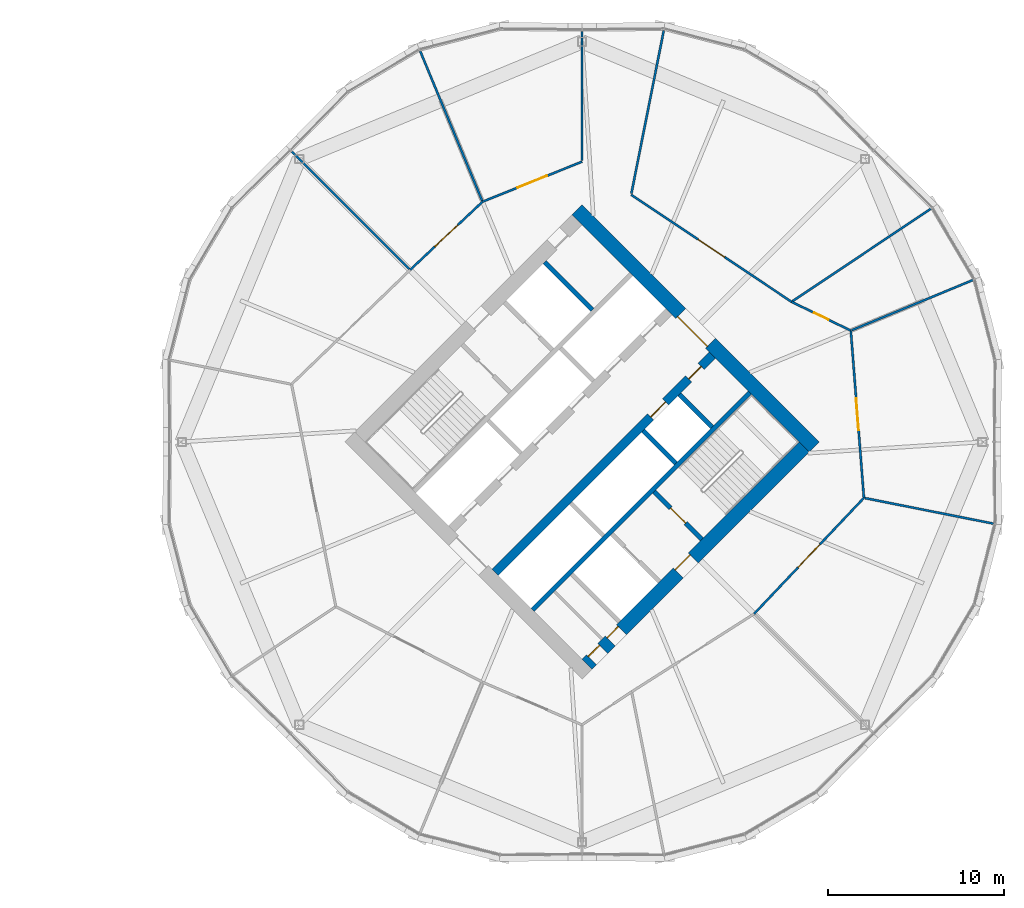
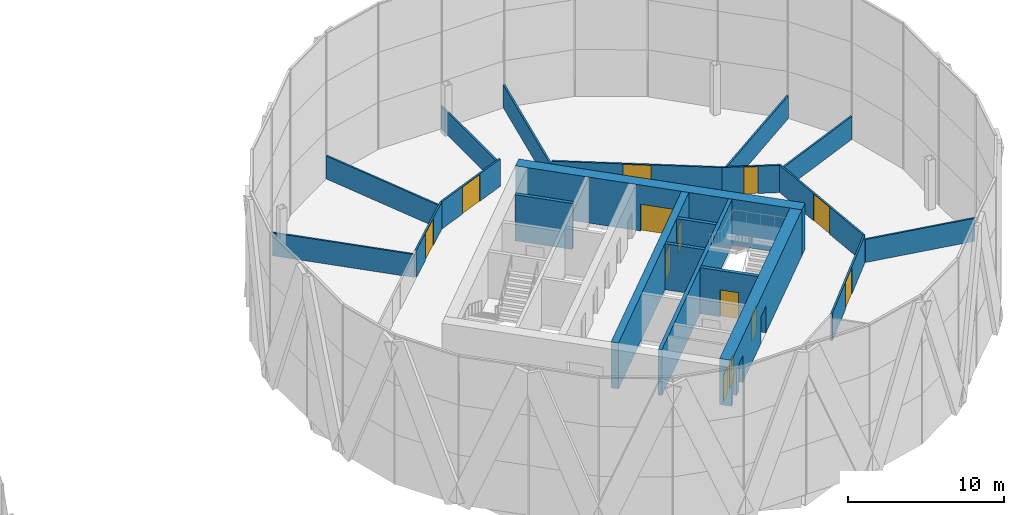
# One storey, part 23 of 26: 21 walls, 13 doors, 13 openings.
"""IFC4 building model written with IfcOpenShell, lengths in metres."""

from ifc_helpers import new_model, si_unit, direction, frame, frame_2d, origin, place, context, subcontext, project, spatial, rectangle, extrude, material, layer, layer_set, type_object, element, fill, save


model = new_model("IFC4")

# Units and contexts
model_context = context("Model", 3, precision=1e-05, world=origin(), true_north=direction((0.0, 1.0)))
body_context = subcontext(model_context, "Body", "Model", "MODEL_VIEW")
ifc_project = project(units=[si_unit("LENGTHUNIT", "METRE"), si_unit("AREAUNIT", "SQUARE_METRE"), si_unit("VOLUMEUNIT", "CUBIC_METRE"), si_unit("PLANEANGLEUNIT", "RADIAN"), si_unit("MASSUNIT", "GRAM", prefix="KILO")], contexts=[model_context])

# Site, building, storey
site_placement = place(None, origin())
site = spatial("IfcSite", under=ifc_project, at=site_placement, CompositionType="ELEMENT")
building_placement = place(site_placement, origin())
building = spatial("IfcBuilding", under=site, at=building_placement, Name="Ogive Gate Towers", CompositionType="ELEMENT")
storey_placement = place(building_placement, frame((0.0, 0.0, 87.89990234375)))
storey = spatial("IfcBuildingStorey", under=building, at=storey_placement, Name="L20", CompositionType="ELEMENT", Elevation=87.89990234375)

# Wall, openings, doors
ifc_material_1 = material(Name="Concrete C60/75", Category="concrete")
ifc_layer_1 = layer(ifc_material_1, 0.800048828125)
ifc_layer_set_1 = layer_set([ifc_layer_1], Name="Core wall 800 mm")
wall_type_1 = type_object("IfcWallType", Name="Core wall 800 mm", PredefinedType="SHEAR", material=ifc_layer_set_1)
wall_1_placement = place(storey_placement, frame((36.28271484375, -12.58642578125, 0.0), z_axis=(0.0, 0.0, 1.0), x_axis=(0.707106781187, 0.707106781187, 0.0)))
wall_1 = element("IfcWall", 1, at=wall_1_placement, inside=storey, type_object=wall_type_1, Name="T2 L20 Core wall 800 mm", PredefinedType="SHEAR", context=body_context, shape_type="SweptSolid", body=[
    extrude(rectangle(XDim=17.400146484375, YDim=0.800048828125, at=frame_2d((8.7001953125, 0.0))), origin(), (0.0, 0.0, 1.0), 3.60009765625),
])
opening_1_placement = place(wall_1_placement, frame((7.300048828125, 0.0, 0.0)))
opening_1 = element("IfcOpeningElement", 2, at=opening_1_placement, cuts=wall_1, Name="Opening KD-T2-L20-16", PredefinedType="OPENING", context=body_context, shape_type="SweptSolid", body=[
    extrude(rectangle(XDim=1.199951171875, YDim=2.10009765625, at=frame_2d((0.60009765625, 1.050048828125))), frame((0.0, 0.41015625, 0.0), z_axis=(0.0, -1.0, 0.0), x_axis=(1.0, 0.0, 0.0)), (0.0, 0.0, 1.0), 0.820068359375),
])
opening_2_placement = place(wall_1_placement, frame((0.35009765625, 0.0, 0.0)))
opening_2 = element("IfcOpeningElement", 3, at=opening_2_placement, cuts=wall_1, Name="Opening KD-T2-L20-18", PredefinedType="OPENING", context=body_context, shape_type="SweptSolid", body=[
    extrude(rectangle(XDim=0.89990234375, YDim=2.10009765625, at=frame_2d((0.449951171875, 1.050048828125))), frame((0.0, 0.41015625, 0.0), z_axis=(0.0, -1.0, 0.0), x_axis=(1.0, 0.0, 0.0)), (0.0, 0.0, 1.0), 0.820068359375),
])
opening_3_placement = place(wall_1_placement, frame((1.85009765625, 0.0, 0.0)))
opening_3 = element("IfcOpeningElement", 4, at=opening_3_placement, cuts=wall_1, Name="Opening KD-T2-L20-19", PredefinedType="OPENING", context=body_context, shape_type="SweptSolid", body=[
    extrude(rectangle(XDim=0.89990234375, YDim=2.10009765625, at=frame_2d((0.449951171875, 1.050048828125))), frame((0.0, 0.41015625, 0.0), z_axis=(0.0, -1.0, 0.0), x_axis=(1.0, 0.0, 0.0)), (0.0, 0.0, 1.0), 0.820068359375),
])
ifc_material_2 = material(Name="Timber door", Category="wood")
door_type_1 = type_object("IfcDoorType", Name="Core WC door 900 x 2100", OperationType="NOTDEFINED", PredefinedType="DOOR", material=ifc_material_2)
door_1_placement = place(opening_2_placement, origin())
door_1 = element("IfcDoor", 5, at=door_1_placement, inside=storey, type_object=door_type_1, Name="T2 L20 Core door", OperationType="SINGLE_SWING_LEFT", OverallHeight=2.10009765625, OverallWidth=0.89990234375, PredefinedType="DOOR", context=body_context, shape_type="SweptSolid", body=[
    extrude(rectangle(XDim=0.89990234375, YDim=2.10009765625, at=frame_2d((0.449951171875, 1.050048828125))), frame((0.0, 0.27490234375, 0.0), z_axis=(0.0, -1.0, 0.0), x_axis=(1.0, 0.0, 0.0)), (0.0, 0.0, 1.0), 0.050048828125),
])
fill(opening_2, door_1)
door_2_placement = place(opening_3_placement, origin())
door_2 = element("IfcDoor", 6, at=door_2_placement, inside=storey, type_object=door_type_1, Name="T2 L20 Core door", OperationType="SINGLE_SWING_RIGHT", OverallHeight=2.10009765625, OverallWidth=0.89990234375, PredefinedType="DOOR", context=body_context, shape_type="SweptSolid", body=[
    extrude(rectangle(XDim=0.89990234375, YDim=2.10009765625, at=frame_2d((0.449951171875, 1.050048828125))), frame((0.0, 0.27490234375, 0.0), z_axis=(0.0, -1.0, 0.0), x_axis=(1.0, 0.0, 0.0)), (0.0, 0.0, 1.0), 0.050048828125),
])
fill(opening_3, door_2)
ifc_material_3 = material(Name="Steel fire door", Category="steel")
door_type_2 = type_object("IfcDoorType", Name="Core door FD60S 1200 x 2100", OperationType="NOTDEFINED", PredefinedType="DOOR", material=ifc_material_3)
door_3_placement = place(opening_1_placement, origin())
door_3 = element("IfcDoor", 7, at=door_3_placement, inside=storey, type_object=door_type_2, Name="T2 L20 Fire-fighting lobby door", OperationType="SINGLE_SWING_LEFT", OverallHeight=2.10009765625, OverallWidth=1.199951171875, PredefinedType="DOOR", context=body_context, shape_type="SweptSolid", body=[
    extrude(rectangle(XDim=1.199951171875, YDim=2.10009765625, at=frame_2d((0.60009765625, 1.050048828125))), frame((0.0, 0.27490234375, 0.0), z_axis=(0.0, -1.0, 0.0), x_axis=(1.0, 0.0, 0.0)), (0.0, 0.0, 1.0), 0.050048828125),
])
fill(opening_1, door_3)

# Wall, opening, door
wall_2_placement = place(storey_placement, frame((49.152099609375, -0.28271484375, 0.0), z_axis=(0.0, 0.0, 1.0), x_axis=(-0.707106781187, 0.707106781187, 0.0)))
wall_2 = element("IfcWall", 8, at=wall_2_placement, inside=storey, type_object=wall_type_1, Name="T2 L20 Core wall 800 mm", PredefinedType="SHEAR", context=body_context, shape_type="SweptSolid", body=[
    extrude(rectangle(XDim=18.999755859375, YDim=0.800048828125, at=frame_2d((9.5, 0.0))), origin(), (0.0, 0.0, 1.0), 3.60009765625),
])
opening_4_placement = place(wall_2_placement, frame((8.300048828125, 0.0, 0.0)))
opening_4 = element("IfcOpeningElement", 9, at=opening_4_placement, cuts=wall_2, Name="Opening KD-T2-L20-02", PredefinedType="OPENING", context=body_context, shape_type="SweptSolid", body=[
    extrude(rectangle(XDim=2.39990234375, YDim=2.10009765625, at=frame_2d((1.199951171875, 1.050048828125))), frame((0.0, 0.41015625, 0.0), z_axis=(0.0, -1.0, 0.0), x_axis=(1.0, 0.0, 0.0)), (0.0, 0.0, 1.0), 0.820068359375),
])
door_type_3 = type_object("IfcDoorType", Name="Core double door FD60S 2400 x 2100", OperationType="DOUBLE_DOOR_SINGLE_SWING", PredefinedType="DOOR", material=ifc_material_3)
door_4_placement = place(opening_4_placement, origin())
door_4 = element("IfcDoor", 10, at=door_4_placement, inside=storey, type_object=door_type_3, Name="T2 L20 Core door double", OperationType="DOUBLE_DOOR_SINGLE_SWING", OverallHeight=2.10009765625, OverallWidth=2.39990234375, PredefinedType="DOOR", context=body_context, shape_type="SweptSolid", body=[
    extrude(rectangle(XDim=2.39990234375, YDim=2.10009765625, at=frame_2d((1.199951171875, 1.050048828125))), frame((0.0, 0.27490234375, 0.0), z_axis=(0.0, -1.0, 0.0), x_axis=(1.0, 0.0, 0.0)), (0.0, 0.0, 1.0), 0.050048828125),
])
fill(opening_4, door_4)

# Walls
ifc_material_4 = material(Name="Gypsum board partition")
ifc_layer_2 = layer(ifc_material_4, 0.125)
ifc_layer_set_2 = layer_set([ifc_layer_2], Name="Partition 125")
wall_type_2 = type_object("IfcWallType", Name="Partition 125", PredefinedType="PARTITIONING", material=ifc_layer_set_2)
wall_3_placement = place(storey_placement, frame((58.1455078125, 9.1728515625, 0.0), z_axis=(0.0, 0.0, 1.0), x_axis=(-0.923879380102, -0.382683800313, 0.0)))
element("IfcWall", 11, at=wall_3_placement, inside=storey, type_object=wall_type_2, Name="Partition T2-L20-001", PredefinedType="PARTITIONING", context=body_context, shape_type="SweptSolid", body=[
    extrude(rectangle(XDim=7.42529296875, YDim=0.125, at=frame_2d((3.712646484375, 0.0))), origin(), (0.0, 0.0, 1.0), 1.800048828125),
])
wall_4_placement = place(storey_placement, frame((55.759521484375, 13.2119140625, 0.0), z_axis=(0.0, 0.0, 1.0), x_axis=(-0.831300345147, -0.555823475717, 0.0)))
element("IfcWall", 12, at=wall_4_placement, inside=storey, type_object=wall_type_2, Name="Partition T2-L20-002", PredefinedType="PARTITIONING", context=body_context, shape_type="SweptSolid", body=[
    extrude(rectangle(XDim=9.42529296875, YDim=0.125, at=frame_2d((4.712646484375, 0.0))), origin(), (0.0, 0.0, 1.0), 1.800048828125),
])
wall_5_placement = place(storey_placement, frame((40.6298828125, 23.314208984375, 0.0), z_axis=(0.0, 0.0, 1.0), x_axis=(-0.194790915592, -0.980844788538, 0.0)))
element("IfcWall", 13, at=wall_5_placement, inside=storey, type_object=wall_type_2, Name="Partition T2-L20-003", PredefinedType="PARTITIONING", context=body_context, shape_type="SweptSolid", body=[
    extrude(rectangle(XDim=9.425048828125, YDim=0.125, at=frame_2d((4.71240234375, 0.0))), origin(), (0.0, 0.0, 1.0), 1.800048828125),
])
wall_6_placement = place(storey_placement, frame((36.0, 23.26904296875, 0.0), z_axis=(0.0, 0.0, 1.0), x_axis=(0.0, -1.0, 0.0)))
element("IfcWall", 14, at=wall_6_placement, inside=storey, type_object=wall_type_2, Name="Partition T2-L20-004", PredefinedType="PARTITIONING", context=body_context, shape_type="SweptSolid", body=[
    extrude(rectangle(XDim=7.32666015625, YDim=0.125, at=frame_2d((3.663330078125, 0.0))), origin(), (0.0, 0.0, 1.0), 1.800048828125),
])
wall_7_placement = place(storey_placement, frame((26.8271484375, 22.1455078125, 0.0), z_axis=(0.0, 0.0, 1.0), x_axis=(0.382685496895, -0.923878677352, 0.0)))
element("IfcWall", 15, at=wall_7_placement, inside=storey, type_object=wall_type_2, Name="Partition T2-L20-005", PredefinedType="PARTITIONING", context=body_context, shape_type="SweptSolid", body=[
    extrude(rectangle(XDim=9.17529296875, YDim=0.125, at=frame_2d((4.587646484375, 0.0))), origin(), (0.0, 0.0, 1.0), 1.800048828125),
])
wall_8_placement = place(storey_placement, frame((19.54638671875, 16.45361328125, 0.0), z_axis=(0.0, 0.0, 1.0), x_axis=(0.707106781187, -0.707106781187, 0.0)))
element("IfcWall", 16, at=wall_8_placement, inside=storey, type_object=wall_type_2, Name="Partition T2-L20-006", PredefinedType="PARTITIONING", context=body_context, shape_type="SweptSolid", body=[
    extrude(rectangle(XDim=9.425048828125, YDim=0.125, at=frame_2d((4.71240234375, 0.0))), origin(), (0.0, 0.0, 1.0), 1.800048828125),
])
wall_9_placement = place(storey_placement, frame((59.314208984375, -4.6298828125, 0.0), z_axis=(0.0, 0.0, 1.0), x_axis=(-0.980846602805, 0.19478177986, 0.0)))
element("IfcWall", 17, at=wall_9_placement, inside=storey, type_object=wall_type_2, Name="Partition T2-L20-013", PredefinedType="PARTITIONING", context=body_context, shape_type="SweptSolid", body=[
    extrude(rectangle(XDim=7.42529296875, YDim=0.125, at=frame_2d((3.712646484375, 0.0))), origin(), (0.0, 0.0, 1.0), 1.800048828125),
])

# Wall, opening, door
wall_10_placement = place(storey_placement, frame((36.0, 15.8798828125, 0.0), z_axis=(0.0, 0.0, 1.0), x_axis=(-0.927682193626, -0.373370791077, 0.0)))
wall_10 = element("IfcWall", 18, at=wall_10_placement, inside=storey, type_object=wall_type_2, Name="Partition T2-L20-014", PredefinedType="PARTITIONING", context=body_context, shape_type="SweptSolid", body=[
    extrude(rectangle(XDim=6.0771484375, YDim=0.125, at=frame_2d((3.03857421875, 0.0))), origin(), (0.0, 0.0, 1.0), 2.14013671875),
])
opening_5_placement = place(wall_10_placement, frame((2.138916015625, 0.0, 0.0)))
opening_5 = element("IfcOpeningElement", 19, at=opening_5_placement, cuts=wall_10, Name="Opening T2-L20-D01", PredefinedType="OPENING", context=body_context, shape_type="SweptSolid", body=[
    extrude(rectangle(XDim=1.800048828125, YDim=2.10009765625, at=frame_2d((0.89990234375, 1.050048828125))), frame((0.0, 0.072509765625, 0.0), z_axis=(0.0, -1.0, 0.0), x_axis=(1.0, 0.0, 0.0)), (0.0, 0.0, 1.0), 0.14501953125),
])
door_type_4 = type_object("IfcDoorType", Name="Door pair 1800", OperationType="NOTDEFINED", PredefinedType="DOOR", material=ifc_material_2)
door_5_placement = place(opening_5_placement, origin())
door_5 = element("IfcDoor", 20, at=door_5_placement, inside=storey, type_object=door_type_4, Name="Door T2-L20-D01", OperationType="DOUBLE_DOOR_DOUBLE_SWING", OverallHeight=2.10009765625, OverallWidth=1.800048828125, PredefinedType="DOOR", context=body_context, shape_type="SweptSolid", body=[
    extrude(rectangle(XDim=1.800048828125, YDim=2.10009765625, at=frame_2d((0.89990234375, 1.050048828125))), frame((0.0, 0.02490234375, 0.0), z_axis=(0.0, -1.0, 0.0), x_axis=(1.0, 0.0, 0.0)), (0.0, 0.0, 1.0), 0.050048828125),
])
fill(opening_5, door_5)

wall_11_placement = place(storey_placement, frame((30.3623046875, 13.61083984375, 0.0), z_axis=(0.0, 0.0, 1.0), x_axis=(-0.728165682311, -0.685401151958, 0.0)))
wall_11 = element("IfcWall", 21, at=wall_11_placement, inside=storey, type_object=wall_type_2, Name="Partition T2-L20-015", PredefinedType="PARTITIONING", context=body_context, shape_type="SweptSolid", body=[
    extrude(rectangle(XDim=5.640380859375, YDim=0.125, at=frame_2d((2.8203125, 0.0))), origin(), (0.0, 0.0, 1.0), 2.14013671875),
])
opening_6_placement = place(wall_11_placement, frame((1.919921875, 0.0, 0.0)))
opening_6 = element("IfcOpeningElement", 22, at=opening_6_placement, cuts=wall_11, Name="Opening T2-L20-D02", PredefinedType="OPENING", context=body_context, shape_type="SweptSolid", body=[
    extrude(rectangle(XDim=1.800048828125, YDim=2.10009765625, at=frame_2d((0.89990234375, 1.050048828125))), frame((0.0, 0.072509765625, 0.0), z_axis=(0.0, -1.0, 0.0), x_axis=(1.0, 0.0, 0.0)), (0.0, 0.0, 1.0), 0.14501953125),
])
door_6_placement = place(opening_6_placement, origin())
door_6 = element("IfcDoor", 23, at=door_6_placement, inside=storey, type_object=door_type_4, Name="Door T2-L20-D02", OperationType="DOUBLE_DOOR_DOUBLE_SWING", OverallHeight=2.10009765625, OverallWidth=1.800048828125, PredefinedType="DOOR", context=body_context, shape_type="SweptSolid", body=[
    extrude(rectangle(XDim=1.800048828125, YDim=2.10009765625, at=frame_2d((0.89990234375, 1.050048828125))), frame((0.0, 0.02490234375, 0.0), z_axis=(0.0, -1.0, 0.0), x_axis=(1.0, 0.0, 0.0)), (0.0, 0.0, 1.0), 0.050048828125),
])
fill(opening_6, door_6)

wall_12_placement = place(storey_placement, frame((45.744873046875, -9.744873046875, 0.0), z_axis=(0.0, 0.0, 1.0), x_axis=(0.687604013042, 0.726085891096, 0.0)))
wall_12 = element("IfcWall", 24, at=wall_12_placement, inside=storey, type_object=wall_type_2, Name="Partition T2-L20-022", PredefinedType="PARTITIONING", context=body_context, shape_type="SweptSolid", body=[
    extrude(rectangle(XDim=9.05322265625, YDim=0.125, at=frame_2d((4.526611328125, 0.0))), origin(), (0.0, 0.0, 1.0), 2.14013671875),
])
opening_7_placement = place(wall_12_placement, frame((3.626953125, 0.0, 0.0)))
opening_7 = element("IfcOpeningElement", 25, at=opening_7_placement, cuts=wall_12, Name="Opening T2-L20-D09", PredefinedType="OPENING", context=body_context, shape_type="SweptSolid", body=[
    extrude(rectangle(XDim=1.800048828125, YDim=2.10009765625, at=frame_2d((0.89990234375, 1.050048828125))), frame((0.0, 0.072509765625, 0.0), z_axis=(0.0, -1.0, 0.0), x_axis=(1.0, 0.0, 0.0)), (0.0, 0.0, 1.0), 0.14501953125),
])
door_7_placement = place(opening_7_placement, origin())
door_7 = element("IfcDoor", 26, at=door_7_placement, inside=storey, type_object=door_type_4, Name="Door T2-L20-D09", OperationType="DOUBLE_DOOR_DOUBLE_SWING", OverallHeight=2.10009765625, OverallWidth=1.800048828125, PredefinedType="DOOR", context=body_context, shape_type="SweptSolid", body=[
    extrude(rectangle(XDim=1.800048828125, YDim=2.10009765625, at=frame_2d((0.89990234375, 1.050048828125))), frame((0.0, 0.02490234375, 0.0), z_axis=(0.0, -1.0, 0.0), x_axis=(1.0, 0.0, 0.0)), (0.0, 0.0, 1.0), 0.050048828125),
])
fill(opening_7, door_7)

wall_13_placement = place(storey_placement, frame((51.969970703125, -3.17138671875, 0.0), z_axis=(0.0, 0.0, 1.0), x_axis=(-0.078084660051, 0.996946731709, 0.0)))
wall_13 = element("IfcWall", 27, at=wall_13_placement, inside=storey, type_object=wall_type_2, Name="Partition T2-L20-023", PredefinedType="PARTITIONING", context=body_context, shape_type="SweptSolid", body=[
    extrude(rectangle(XDim=9.508056640625, YDim=0.125, at=frame_2d((4.75390625, 0.0))), origin(), (0.0, 0.0, 1.0), 2.14013671875),
])
opening_8_placement = place(wall_13_placement, frame((3.85400390625, 0.0, 0.0)))
opening_8 = element("IfcOpeningElement", 28, at=opening_8_placement, cuts=wall_13, Name="Opening T2-L20-D10", PredefinedType="OPENING", context=body_context, shape_type="SweptSolid", body=[
    extrude(rectangle(XDim=1.800048828125, YDim=2.10009765625, at=frame_2d((0.89990234375, 1.050048828125))), frame((0.0, 0.072509765625, 0.0), z_axis=(0.0, -1.0, 0.0), x_axis=(1.0, 0.0, 0.0)), (0.0, 0.0, 1.0), 0.14501953125),
])
door_8_placement = place(opening_8_placement, origin())
door_8 = element("IfcDoor", 29, at=door_8_placement, inside=storey, type_object=door_type_4, Name="Door T2-L20-D10", OperationType="DOUBLE_DOOR_DOUBLE_SWING", OverallHeight=2.10009765625, OverallWidth=1.800048828125, PredefinedType="DOOR", context=body_context, shape_type="SweptSolid", body=[
    extrude(rectangle(XDim=1.800048828125, YDim=2.10009765625, at=frame_2d((0.89990234375, 1.050048828125))), frame((0.0, 0.02490234375, 0.0), z_axis=(0.0, -1.0, 0.0), x_axis=(1.0, 0.0, 0.0)), (0.0, 0.0, 1.0), 0.050048828125),
])
fill(opening_8, door_8)

wall_14_placement = place(storey_placement, frame((51.2275390625, 6.3076171875, 0.0), z_axis=(0.0, 0.0, 1.0), x_axis=(-0.89937142821, 0.43718535442, 0.0)))
wall_14 = element("IfcWall", 30, at=wall_14_placement, inside=storey, type_object=wall_type_2, Name="Partition T2-L20-024", PredefinedType="PARTITIONING", context=body_context, shape_type="SweptSolid", body=[
    extrude(rectangle(XDim=3.73046875, YDim=0.125, at=frame_2d((1.865234375, 0.0))), origin(), (0.0, 0.0, 1.0), 2.14013671875),
])
opening_9_placement = place(wall_14_placement, frame((1.4150390625, 0.0, 0.0)))
opening_9 = element("IfcOpeningElement", 31, at=opening_9_placement, cuts=wall_14, Name="Opening T2-L20-D11", PredefinedType="OPENING", context=body_context, shape_type="SweptSolid", body=[
    extrude(rectangle(XDim=0.89990234375, YDim=2.10009765625, at=frame_2d((0.449951171875, 1.050048828125))), frame((0.0, 0.072509765625, 0.0), z_axis=(0.0, -1.0, 0.0), x_axis=(1.0, 0.0, 0.0)), (0.0, 0.0, 1.0), 0.14501953125),
])
door_type_5 = type_object("IfcDoorType", Name="Door 900", OperationType="NOTDEFINED", PredefinedType="DOOR", material=ifc_material_2)
door_9_placement = place(opening_9_placement, origin())
door_9 = element("IfcDoor", 32, at=door_9_placement, inside=storey, type_object=door_type_5, Name="Door T2-L20-D11", OperationType="SINGLE_SWING_LEFT", OverallHeight=2.10009765625, OverallWidth=0.89990234375, PredefinedType="DOOR", context=body_context, shape_type="SweptSolid", body=[
    extrude(rectangle(XDim=0.89990234375, YDim=2.10009765625, at=frame_2d((0.449951171875, 1.050048828125))), frame((0.0, 0.02490234375, 0.0), z_axis=(0.0, -1.0, 0.0), x_axis=(1.0, 0.0, 0.0)), (0.0, 0.0, 1.0), 0.050048828125),
])
fill(opening_9, door_9)

wall_15_placement = place(storey_placement, frame((47.87255859375, 7.9384765625, 0.0), z_axis=(0.0, 0.0, 1.0), x_axis=(-0.831658368955, 0.555287634788, 0.0)))
wall_15 = element("IfcWall", 33, at=wall_15_placement, inside=storey, type_object=wall_type_2, Name="Partition T2-L20-025", PredefinedType="PARTITIONING", context=body_context, shape_type="SweptSolid", body=[
    extrude(rectangle(XDim=10.930908203125, YDim=0.125, at=frame_2d((5.46533203125, 0.0))), origin(), (0.0, 0.0, 1.0), 2.14013671875),
])
opening_10_placement = place(wall_15_placement, frame((4.56494140625, 0.0, 0.0)))
opening_10 = element("IfcOpeningElement", 34, at=opening_10_placement, cuts=wall_15, Name="Opening T2-L20-D12", PredefinedType="OPENING", context=body_context, shape_type="SweptSolid", body=[
    extrude(rectangle(XDim=1.800048828125, YDim=2.10009765625, at=frame_2d((0.89990234375, 1.050048828125))), frame((0.0, 0.072509765625, 0.0), z_axis=(0.0, -1.0, 0.0), x_axis=(1.0, 0.0, 0.0)), (0.0, 0.0, 1.0), 0.14501953125),
])
door_10_placement = place(opening_10_placement, origin())
door_10 = element("IfcDoor", 35, at=door_10_placement, inside=storey, type_object=door_type_4, Name="Door T2-L20-D12", OperationType="DOUBLE_DOOR_DOUBLE_SWING", OverallHeight=2.10009765625, OverallWidth=1.800048828125, PredefinedType="DOOR", context=body_context, shape_type="SweptSolid", body=[
    extrude(rectangle(XDim=1.800048828125, YDim=2.10009765625, at=frame_2d((0.89990234375, 1.050048828125))), frame((0.0, 0.02490234375, 0.0), z_axis=(0.0, -1.0, 0.0), x_axis=(1.0, 0.0, 0.0)), (0.0, 0.0, 1.0), 0.050048828125),
])
fill(opening_10, door_10)

# Wall
ifc_layer_3 = layer(ifc_material_1, 0.25)
ifc_layer_set_3 = layer_set([ifc_layer_3], Name="Shaft wall 250 mm")
wall_type_3 = type_object("IfcWallType", Name="Shaft wall 250 mm", PredefinedType="SHEAR", material=ifc_layer_set_3)
wall_16_placement = place(storey_placement, frame((33.206787109375, -9.510498046875, 0.0), z_axis=(0.0, 0.0, 1.0), x_axis=(0.707106781187, 0.707106781187, 0.0)))
element("IfcWall", 36, at=wall_16_placement, inside=storey, type_object=wall_type_3, Name="T2 L20 Shaft wall 250 mm", PredefinedType="SHEAR", context=body_context, shape_type="SweptSolid", body=[
    extrude(rectangle(XDim=17.400146484375, YDim=0.25, at=frame_2d((8.7001953125, 0.0))), origin(), (0.0, 0.0, 1.0), 3.60009765625),
])

# Wall, opening, door
wall_17_placement = place(storey_placement, frame((42.7880859375, -5.515380859375, 0.0), z_axis=(0.0, 0.0, 1.0), x_axis=(-0.707106781187, 0.707106781187, 0.0)))
wall_17 = element("IfcWall", 37, at=wall_17_placement, inside=storey, type_object=wall_type_3, Name="T2 L20 Shaft wall 250 mm", PredefinedType="SHEAR", context=body_context, shape_type="SweptSolid", body=[
    extrude(rectangle(XDim=3.824951171875, YDim=0.25, at=frame_2d((1.91259765625, 0.0))), origin(), (0.0, 0.0, 1.0), 3.60009765625),
])
opening_11_placement = place(wall_17_placement, frame((1.300048828125, 0.0, 0.0)))
opening_11 = element("IfcOpeningElement", 38, at=opening_11_placement, cuts=wall_17, Name="Opening KD-T2-L20-14", PredefinedType="OPENING", context=body_context, shape_type="SweptSolid", body=[
    extrude(rectangle(XDim=1.199951171875, YDim=2.10009765625, at=frame_2d((0.60009765625, 1.050048828125))), frame((0.0, 0.135009765625, 0.0), z_axis=(0.0, -1.0, 0.0), x_axis=(1.0, 0.0, 0.0)), (0.0, 0.0, 1.0), 0.27001953125),
])
door_11_placement = place(opening_11_placement, origin())
door_11 = element("IfcDoor", 39, at=door_11_placement, inside=storey, type_object=door_type_2, Name="T2 L20 Stair door", OperationType="SINGLE_SWING_LEFT", OverallHeight=2.10009765625, OverallWidth=1.199951171875, PredefinedType="DOOR", context=body_context, shape_type="SweptSolid", body=[
    extrude(rectangle(XDim=1.199951171875, YDim=2.10009765625, at=frame_2d((0.60009765625, 1.050048828125))), frame((0.0, 0.02490234375, 0.0), z_axis=(0.0, -1.0, 0.0), x_axis=(1.0, 0.0, 0.0)), (0.0, 0.0, 1.0), 0.050048828125),
])
fill(opening_11, door_11)

# Walls
wall_18_placement = place(storey_placement, frame((41.321044921875, -1.2197265625, 0.0), z_axis=(0.0, 0.0, 1.0), x_axis=(-0.707106781187, 0.707106781187, 0.0)))
element("IfcWall", 40, at=wall_18_placement, inside=storey, type_object=wall_type_3, Name="T2 L20 Shaft wall 250 mm", PredefinedType="SHEAR", context=body_context, shape_type="SweptSolid", body=[
    extrude(rectangle(XDim=2.625, YDim=0.25, at=frame_2d((1.3125, 0.0))), origin(), (0.0, 0.0, 1.0), 3.60009765625),
])
wall_19_placement = place(storey_placement, frame((36.58349609375, 7.477783203125, 0.0), z_axis=(0.0, 0.0, 1.0), x_axis=(-0.707138693938, 0.707074866995, 0.0)))
element("IfcWall", 41, at=wall_19_placement, inside=storey, type_object=wall_type_3, Name="T2 L20 Shaft wall 250 mm", PredefinedType="SHEAR", context=body_context, shape_type="SweptSolid", body=[
    extrude(rectangle(XDim=3.824951171875, YDim=0.25, at=frame_2d((1.91259765625, 0.0))), origin(), (0.0, 0.0, 1.0), 3.60009765625),
])
wall_20_placement = place(storey_placement, frame((43.37158203125, 0.830810546875, 0.0), z_axis=(0.0, 0.0, 1.0), x_axis=(-0.707106781187, 0.707106781187, 0.0)))
element("IfcWall", 42, at=wall_20_placement, inside=storey, type_object=wall_type_3, Name="T2 L20 Shaft wall 250 mm", PredefinedType="SHEAR", context=body_context, shape_type="SweptSolid", body=[
    extrude(rectangle(XDim=2.625, YDim=0.25, at=frame_2d((1.3125, 0.0))), origin(), (0.0, 0.0, 1.0), 3.60009765625),
])

# Wall, openings, doors
ifc_layer_4 = layer(ifc_material_1, 0.5)
ifc_layer_set_4 = layer_set([ifc_layer_4], Name="Spine wall 500 mm")
wall_type_4 = type_object("IfcWallType", Name="Spine wall 500 mm", PredefinedType="SHEAR", material=ifc_layer_set_4)
wall_21_placement = place(storey_placement, frame((31.085693359375, -7.389404296875, 0.0), z_axis=(0.0, 0.0, 1.0), x_axis=(0.707106781187, 0.707106781187, 0.0)))
wall_21 = element("IfcWall", 43, at=wall_21_placement, inside=storey, type_object=wall_type_4, Name="T2 L20 Spine wall 500 mm", PredefinedType="SHEAR", context=body_context, shape_type="SweptSolid", body=[
    extrude(rectangle(XDim=17.400146484375, YDim=0.5, at=frame_2d((8.7001953125, 0.0))), origin(), (0.0, 0.0, 1.0), 3.60009765625),
])
opening_12_placement = place(wall_21_placement, frame((12.449951171875, 0.0, 0.0)))
opening_12 = element("IfcOpeningElement", 44, at=opening_12_placement, cuts=wall_21, Name="Opening LD-T2-L20-09", PredefinedType="OPENING", context=body_context, shape_type="SweptSolid", body=[
    extrude(rectangle(XDim=1.199951171875, YDim=2.10009765625, at=frame_2d((0.60009765625, 1.050048828125))), frame((0.0, 0.260009765625, 0.0), z_axis=(0.0, -1.0, 0.0), x_axis=(1.0, 0.0, 0.0)), (0.0, 0.0, 1.0), 0.52001953125),
])
opening_13_placement = place(wall_21_placement, frame((15.5, 0.0, 0.0)))
opening_13 = element("IfcOpeningElement", 45, at=opening_13_placement, cuts=wall_21, Name="Opening KD-T2-L20-12", PredefinedType="OPENING", context=body_context, shape_type="SweptSolid", body=[
    extrude(rectangle(XDim=1.0, YDim=2.10009765625, at=frame_2d((0.5, 1.050048828125))), frame((0.0, 0.260009765625, 0.0), z_axis=(0.0, -1.0, 0.0), x_axis=(1.0, 0.0, 0.0)), (0.0, 0.0, 1.0), 0.52001953125),
])
door_type_6 = type_object("IfcDoorType", Name="Core door FD60S 1000 x 2100", OperationType="NOTDEFINED", PredefinedType="DOOR", material=ifc_material_3)
door_12_placement = place(opening_13_placement, origin())
door_12 = element("IfcDoor", 46, at=door_12_placement, inside=storey, type_object=door_type_6, Name="T2 L20 Core door", OperationType="SINGLE_SWING_LEFT", OverallHeight=2.10009765625, OverallWidth=1.0, PredefinedType="DOOR", context=body_context, shape_type="SweptSolid", body=[
    extrude(rectangle(XDim=1.0, YDim=2.10009765625, at=frame_2d((0.5, 1.050048828125))), frame((0.0, 0.02490234375, 0.0), z_axis=(0.0, -1.0, 0.0), x_axis=(1.0, 0.0, 0.0)), (0.0, 0.0, 1.0), 0.050048828125),
])
fill(opening_13, door_12)
ifc_material_5 = material(Name="Stainless steel landing door", Category="steel")
door_type_7 = type_object("IfcDoorType", Name="Landing door 1200 x 2100", OperationType="SLIDING_TO_LEFT", PredefinedType="DOOR", material=ifc_material_5)
door_13_placement = place(opening_12_placement, origin())
door_13 = element("IfcDoor", 47, at=door_13_placement, inside=storey, type_object=door_type_7, Name="T2 L20 Lift landing door SVC", OperationType="SLIDING_TO_LEFT", OverallHeight=2.10009765625, OverallWidth=1.199951171875, PredefinedType="DOOR", context=body_context, shape_type="SweptSolid", body=[
    extrude(rectangle(XDim=1.199951171875, YDim=2.10009765625, at=frame_2d((0.60009765625, 1.050048828125))), frame((0.0, 0.02490234375, 0.0), z_axis=(0.0, -1.0, 0.0), x_axis=(1.0, 0.0, 0.0)), (0.0, 0.0, 1.0), 0.050048828125),
])
fill(opening_12, door_13)

save(model, "model.ifc")
